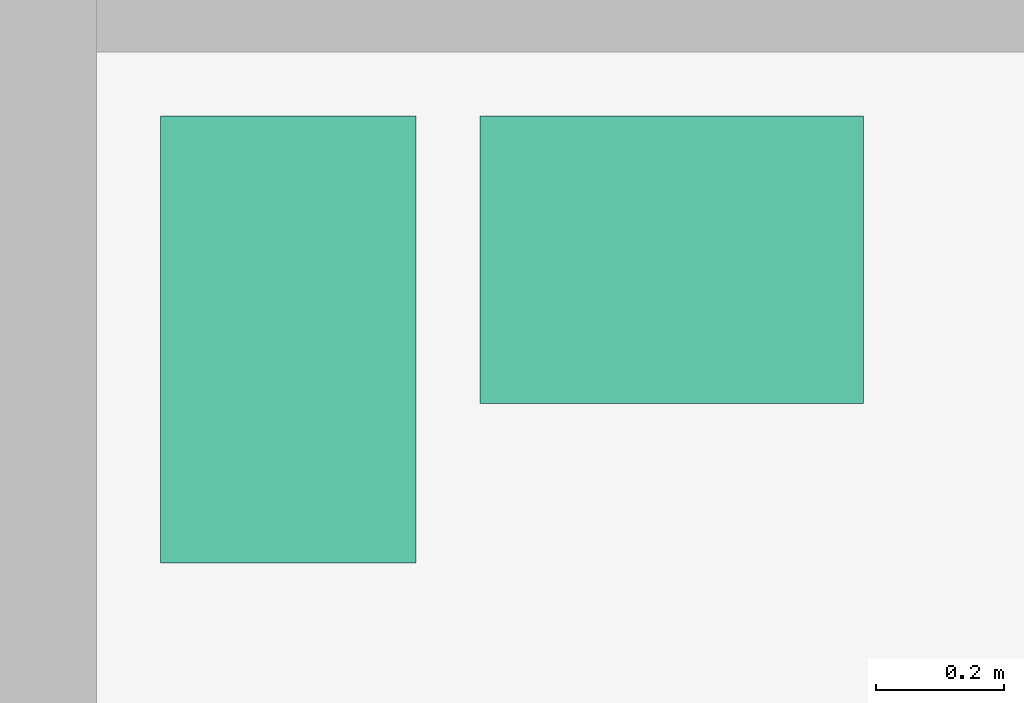
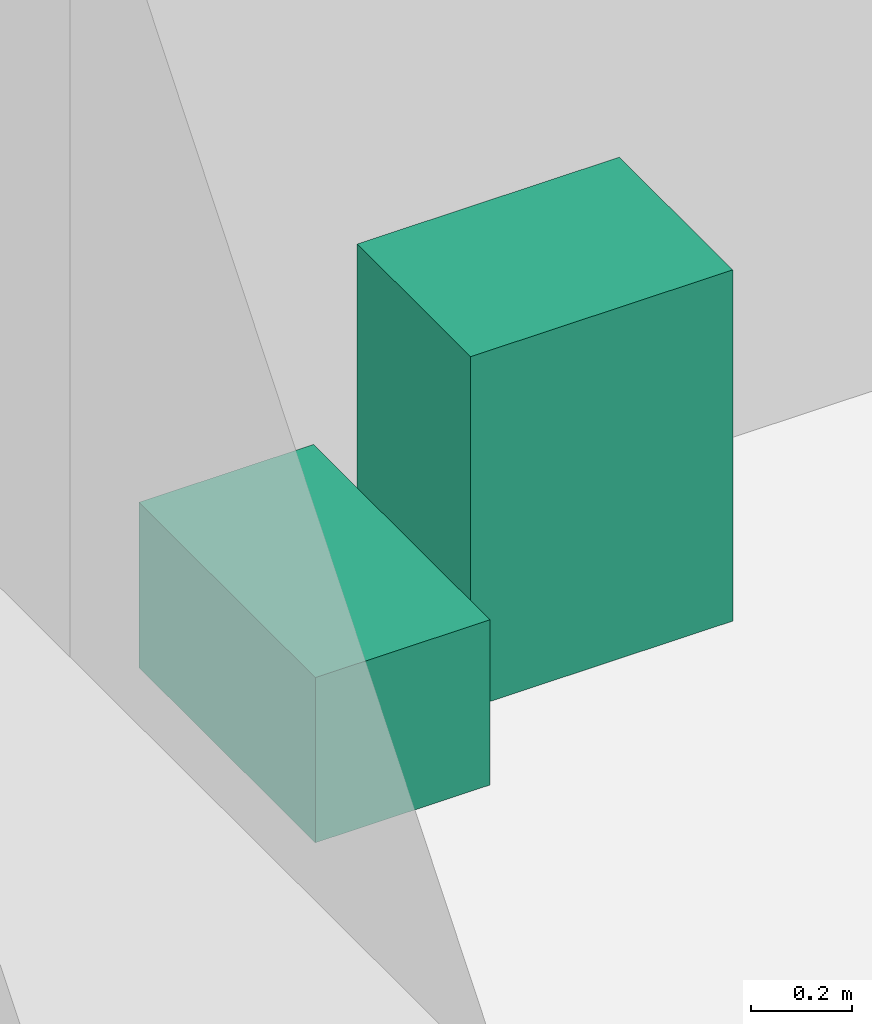
# One storey, part 14 of 14: 2 sanitary terminals.
"""IFC4 building model written with IfcOpenShell, lengths in metres."""

from ifc_helpers import new_model, si_unit, direction, frame, origin, origin_2d, place, context, subcontext, project, spatial, rectangle, extrude, element, save


model = new_model("IFC4")

# Units and contexts
model_context = context("Model", 3, precision=1e-05, world=origin(), true_north=direction((0.0, 1.0)))
body_context = subcontext(model_context, "Body", "Model", "MODEL_VIEW")
ifc_project = project(units=[si_unit("LENGTHUNIT", "METRE"), si_unit("AREAUNIT", "SQUARE_METRE"), si_unit("VOLUMEUNIT", "CUBIC_METRE"), si_unit("PLANEANGLEUNIT", "RADIAN"), si_unit("MASSUNIT", "GRAM", prefix="KILO")], contexts=[model_context])

# Site, building, storey
site_placement = place(None, origin())
site = spatial("IfcSite", under=ifc_project, at=site_placement, CompositionType="ELEMENT")
building_placement = place(site_placement, origin())
building = spatial("IfcBuilding", under=site, at=building_placement, Name="Hankou Lantern Tower", CompositionType="ELEMENT")
storey_placement = place(building_placement, frame((0.0, 0.0, 112.199951171875)))
storey = spatial("IfcBuildingStorey", under=building, at=storey_placement, Name="L28", CompositionType="ELEMENT", Elevation=112.199951171875)

# Sanitary terminals
sanitary_terminal_1_placement = place(storey_placement, frame((-11.300048828125, 3.64990234375, 0.0), z_axis=(0.0, 0.0, 1.0), x_axis=(1.0, 0.0, 0.0)))
element("IfcSanitaryTerminal", 1, at=sanitary_terminal_1_placement, inside=storey, Name="Accessible staff WC WC pan 1", PredefinedType="TOILETPAN", context=body_context, shape_type="SweptSolid", body=[
    extrude(rectangle(XDim=0.39990234375, YDim=0.699951171875, at=origin_2d()), origin(), (0.0, 0.0, 1.0), 0.39990234375),
])
sanitary_terminal_2_placement = place(storey_placement, frame((-10.699951171875, 3.77490234375, 0.0), z_axis=(0.0, 0.0, 1.0), x_axis=(1.0, 0.0, 0.0)))
element("IfcSanitaryTerminal", 2, at=sanitary_terminal_2_placement, inside=storey, Name="Accessible staff WC wash basin 1", PredefinedType="WASHHANDBASIN", context=body_context, shape_type="SweptSolid", body=[
    extrude(rectangle(XDim=0.60009765625, YDim=0.449951171875, at=origin_2d()), origin(), (0.0, 0.0, 1.0), 0.85009765625),
])

save(model, "model.ifc")
